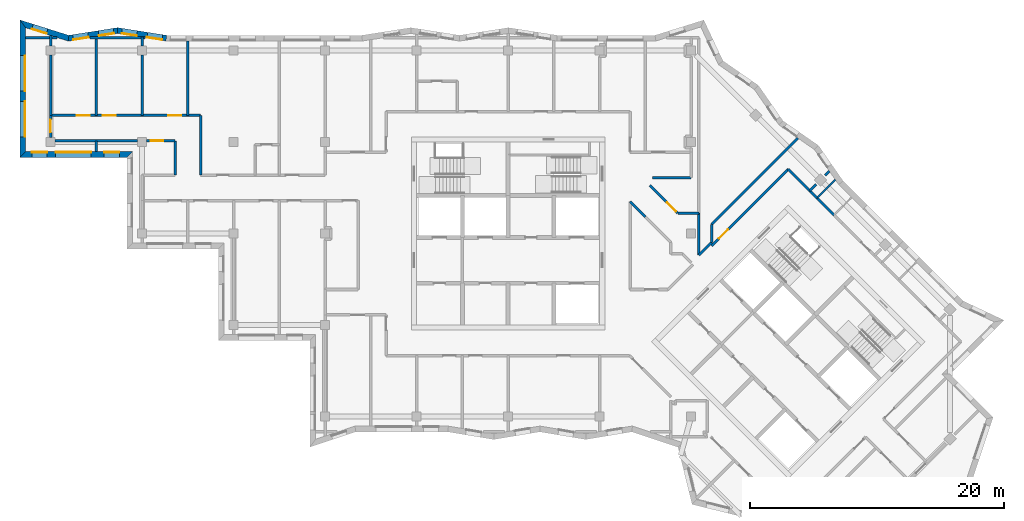
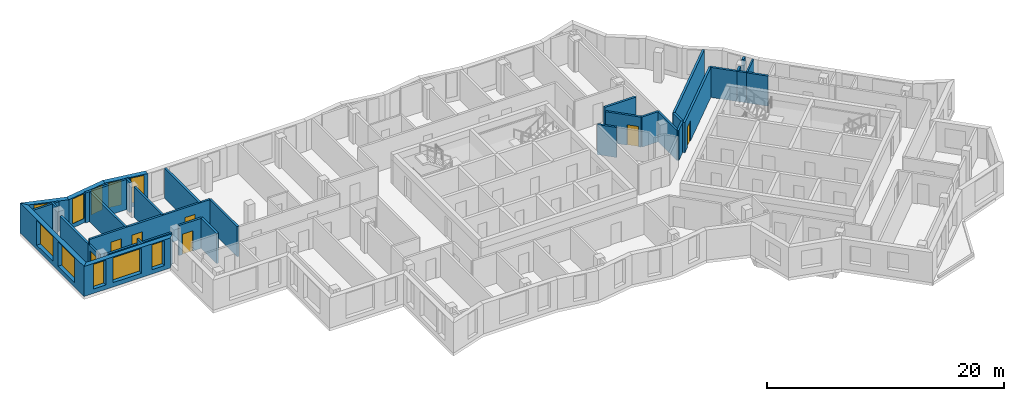
# One storey, part 5 of 12: 35 walls, 10 windows, 7 doors, 17 openings.
"""IFC4 building model written with IfcOpenShell, lengths in metres."""

import ifcopenshell
import ifcopenshell.guid

model = None  # the IFC model being written
_history = None  # IfcOwnerHistory: only IFC2X3 demands one
_inside = {}  # id of a spatial element -> (the spatial element, [elements in it])
_under = {}  # id of a project, library or spatial element -> (it, [spatial elements below it])
_declared = {}  # id of a project -> (the project, [libraries it declares])
_typed = {}  # id of a type object -> (the type object, [elements of that type])
_made_of = {}  # id of a material, layer set ... -> (it, [elements and type objects made of it])


def new_model(schema):
    """Start an empty IFC model of exactly this schema.

    Asked for "IFC4X3", IfcOpenShell would pick the latest addendum, in which some entities
    have other attributes; the version numbers below select the first issue.
    IFC2X3 requires an IfcOwnerHistory on every rooted entity: one is made here for all.
    """
    global model, _history
    if schema == "IFC4X3":
        model = ifcopenshell.file(schema_version=(4, 3, 0, 0))
    else:
        model = ifcopenshell.file(schema=schema)
    _inside.clear()
    _under.clear()
    _declared.clear()
    _typed.clear()
    _made_of.clear()
    _history = None
    if model.schema == "IFC2X3":
        org = make("IfcOrganization", Name="unknown")
        user = make(
            "IfcPersonAndOrganization",
            ThePerson=make("IfcPerson", FamilyName="unknown"),
            TheOrganization=org,
        )
        app = make(
            "IfcApplication",
            ApplicationDeveloper=org,
            Version="unknown",
            ApplicationFullName="unknown",
            ApplicationIdentifier="unknown",
        )
        _history = make(
            "IfcOwnerHistory",
            OwningUser=user,
            OwningApplication=app,
            ChangeAction="ADDED",
            CreationDate=0,
        )
    return model


def make(cls, **values):
    """One entity of the class cls with the attributes given. An attribute that is None is left unset."""
    return model.create_entity(
        cls, **{name: value for name, value in values.items() if value is not None}
    )


def rooted(cls, **values):
    """An entity with a GlobalId (a new one), such as an element, a storey or a relation."""
    return make(cls, GlobalId=ifcopenshell.guid.new(), OwnerHistory=_history, **values)


def si_unit(unit_type, name, prefix=None):
    """IfcSIUnit, for example si_unit("LENGTHUNIT", "METRE", prefix="MILLI")."""
    return make("IfcSIUnit", UnitType=unit_type, Prefix=prefix, Name=name)


def assignment(units):
    """IfcUnitAssignment: the units of a project."""
    return None if units is None else make("IfcUnitAssignment", Units=units)


def point(xyz):
    """IfcCartesianPoint."""
    return None if xyz is None else make("IfcCartesianPoint", Coordinates=xyz)


def direction(xyz):
    """IfcDirection."""
    return None if xyz is None else make("IfcDirection", DirectionRatios=xyz)


def frame(location, z_axis=None, x_axis=None):
    """IfcAxis2Placement3D, a coordinate frame: its origin and axes. An axis left out is left unset."""
    return make(
        "IfcAxis2Placement3D",
        Location=point(location),
        Axis=direction(z_axis),
        RefDirection=direction(x_axis),
    )


def frame_2d(location, x_axis=None):
    """IfcAxis2Placement2D, a coordinate frame in the plane: its origin and x axis."""
    return make(
        "IfcAxis2Placement2D", Location=point(location), RefDirection=direction(x_axis)
    )


def origin():
    """The frame at (0, 0, 0) with its axes left unset."""
    return frame((0.0, 0.0, 0.0))


def place(relative_to, where):
    """IfcLocalPlacement: puts the frame where relative to a parent placement (None: the world)."""
    return make(
        "IfcLocalPlacement", PlacementRelTo=relative_to, RelativePlacement=where
    )


def context(
    kind, dimensions, precision=None, world=None, true_north=None, identifier=None
):
    """IfcGeometricRepresentationContext, for example the 3D "Model" context."""
    return make(
        "IfcGeometricRepresentationContext",
        ContextIdentifier=identifier,
        ContextType=kind,
        CoordinateSpaceDimension=dimensions,
        Precision=precision,
        WorldCoordinateSystem=world,
        TrueNorth=true_north,
    )


def subcontext(parent, identifier, kind, view, scale=None):
    """IfcGeometricRepresentationSubContext, for example "Body" below "Model"."""
    return make(
        "IfcGeometricRepresentationSubContext",
        ContextIdentifier=identifier,
        ContextType=kind,
        ParentContext=parent,
        TargetScale=scale,
        TargetView=view,
    )


def project(units=None, contexts=None):
    """IfcProject with its units and contexts."""
    return rooted(
        "IfcProject",
        Name="project",
        RepresentationContexts=contexts,
        UnitsInContext=assignment(units),
    )


def spatial(cls, under=None, at=None, **own):
    """A site, building, storey or space (cls), placed at a placement, below another one or the project."""
    s = rooted(cls, ObjectPlacement=at, **own)
    if under is not None:
        _under.setdefault(under.id(), (under, []))[1].append(s)
    return s


def polyline(points):
    """IfcPolyline through the points."""
    return make("IfcPolyline", Points=[point(p) for p in points])


def profile(cls, at=None, kind="AREA", **sizes):
    """A parametric profile (cls). Its sizes go by their IFC names, for example OverallWidth=200.0."""
    return make(cls, ProfileType=kind, Position=at, **sizes)


def rectangle(**sizes):
    """IfcRectangleProfileDef."""
    return profile("IfcRectangleProfileDef", **sizes)


def outline(outer, holes=None, kind="AREA"):
    """IfcArbitraryClosedProfileDef: a profile drawn as a closed curve; with holes, ...WithVoids."""
    if holes is None:
        return make("IfcArbitraryClosedProfileDef", ProfileType=kind, OuterCurve=outer)
    return make(
        "IfcArbitraryProfileDefWithVoids",
        ProfileType=kind,
        OuterCurve=outer,
        InnerCurves=holes,
    )


def extrude(swept, where, along, depth):
    """IfcExtrudedAreaSolid: the profile swept, set in the frame where, extruded along a direction by depth."""
    return make(
        "IfcExtrudedAreaSolid",
        SweptArea=swept,
        Position=where,
        ExtrudedDirection=direction(along),
        Depth=depth,
    )


def shape(context_of_items, identifier, shape_type, items):
    """IfcShapeRepresentation: the items that make up one representation, for example the "Body"."""
    return make(
        "IfcShapeRepresentation",
        ContextOfItems=context_of_items,
        RepresentationIdentifier=identifier,
        RepresentationType=shape_type,
        Items=items,
    )


def material(Name=None, Category=None):
    """IfcMaterial."""
    return make("IfcMaterial", Name=Name, Category=Category)


def layer(
    of_material, thickness, ventilated=None, Name=None, Category=None, Priority=None
):
    """IfcMaterialLayer: one layer of a wall or slab, of a material (None: an air gap)."""
    return make(
        "IfcMaterialLayer",
        Material=of_material,
        LayerThickness=thickness,
        IsVentilated=ventilated,
        Name=Name,
        Category=Category,
        Priority=Priority,
    )


def layer_set(layers, Name=None):
    """IfcMaterialLayerSet."""
    return make("IfcMaterialLayerSet", MaterialLayers=layers, LayerSetName=Name)


def made_of(thing, what):
    """Note that an element or type object is made of a material, layer set ...; save() writes the relation."""
    if what is not None:
        _made_of.setdefault(what.id(), (what, []))[1].append(thing)
    return thing


def type_object(cls, material=None, **own):
    """A type object (cls), such as IfcWallType, which elements share."""
    return made_of(rooted(cls, **own), material)


def element(
    cls,
    number,
    at=None,
    inside=None,
    cuts=None,
    type_object=None,
    material=None,
    context=None,
    identifier="Body",
    shape_type=None,
    held_by="IfcProductDefinitionShape",
    body=None,
    shapes=None,
    **own,
):
    """One element of the class cls, such as IfcWall. Its Tag is "e" and its number.

    at: its placement. inside: the storey or other place that contains it. cuts: it is an
    opening in that element (IfcRelVoidsElement). A single representation is given by context,
    identifier, shape_type and body (its items); several are given by shapes. held_by: the class
    of the entity that holds the representations. save() writes the other relations.
    """
    e = rooted(cls, Tag="e%d" % number, ObjectPlacement=at, **own)
    if body is not None:
        shapes = [shape(context, identifier, shape_type, body)]
    if shapes is not None:
        e.Representation = make(held_by, Representations=shapes)
    if inside is not None:
        _inside.setdefault(inside.id(), (inside, []))[1].append(e)
    if cuts is not None:
        rooted(
            "IfcRelVoidsElement", RelatingBuildingElement=cuts, RelatedOpeningElement=e
        )
    if type_object is not None:
        _typed.setdefault(type_object.id(), (type_object, []))[1].append(e)
    return made_of(e, material)


def fill(opening, filler):
    """IfcRelFillsElement: the door or window that sits in an opening."""
    return rooted(
        "IfcRelFillsElement",
        RelatingOpeningElement=opening,
        RelatedBuildingElement=filler,
    )


def aggregate(whole, parts):
    """IfcRelAggregates: a whole, such as a stair, and the parts it consists of."""
    return rooted("IfcRelAggregates", RelatingObject=whole, RelatedObjects=parts)


def save(model, path):
    """Write the relations noted so far, then the file.

    IfcRelAggregates (storeys below a building ...), IfcRelContainedInSpatialStructure (elements
    in a storey), IfcRelDefinesByType, IfcRelAssociatesMaterial and IfcRelDeclares: one each for
    every whole, place, type object, material and project.
    """
    for whole, parts in _under.values():
        aggregate(whole, parts)
    for where, things in _inside.values():
        rooted(
            "IfcRelContainedInSpatialStructure",
            RelatedElements=things,
            RelatingStructure=where,
        )
    for kind, things in _typed.values():
        rooted("IfcRelDefinesByType", RelatedObjects=things, RelatingType=kind)
    for what, things in _made_of.values():
        rooted("IfcRelAssociatesMaterial", RelatedObjects=things, RelatingMaterial=what)
    for by, libraries in _declared.values():
        rooted("IfcRelDeclares", RelatingContext=by, RelatedDefinitions=libraries)
    model.write(path)


model = new_model("IFC4")

# Units and contexts
model_context = context("Model", 3, precision=1e-05, world=origin(), true_north=direction((0.0, 1.0)))
body_context = subcontext(model_context, "Body", "Model", "MODEL_VIEW")
ifc_project = project(units=[si_unit("LENGTHUNIT", "METRE"), si_unit("AREAUNIT", "SQUARE_METRE"), si_unit("VOLUMEUNIT", "CUBIC_METRE"), si_unit("PLANEANGLEUNIT", "RADIAN"), si_unit("MASSUNIT", "GRAM", prefix="KILO")], contexts=[model_context])

# Site, building, storey
site_placement = place(None, origin())
site = spatial("IfcSite", under=ifc_project, at=site_placement, CompositionType="ELEMENT")
building_placement = place(site_placement, origin())
building = spatial("IfcBuilding", under=site, at=building_placement, Name="Windrow Commons", CompositionType="ELEMENT")
storey_placement = place(building_placement, frame((0.0, 0.0, 277.8)))
storey = spatial("IfcBuildingStorey", under=building, at=storey_placement, Name="L76", CompositionType="ELEMENT", Elevation=277.8)

# Wall, openings, windows
ifc_material_1 = material(Name="Brick masonry, red clay brick", Category="masonry")
ifc_layer_1 = layer(ifc_material_1, 0.45)
ifc_layer_set_1 = layer_set([ifc_layer_1], Name="Brick facade wall 450")
wall_type_1 = type_object("IfcWallType", Name="Brick facade wall 450", PredefinedType="SOLIDWALL", material=ifc_layer_set_1)
wall_1_placement = place(storey_placement, frame((37.9077, 72.975, 0.0), z_axis=(0.0, 0.0, 1.0), x_axis=(-0.9879128581, 0.1550102733, 0.0)))
wall_1 = element("IfcWall", 1, at=wall_1_placement, inside=storey, type_object=wall_type_1, Name="Brick facade wall L76 22", PredefinedType="SOLIDWALL", context=body_context, shape_type="SweptSolid", body=[
    extrude(outline(polyline([(0.0175, -0.225), (3.9073, -0.225), (3.8367, 0.225), (-0.0175, 0.225), (0.0175, -0.225)])), origin(), (0.0, 0.0, 1.0), 3.1),
])
opening_1_placement = place(wall_1_placement, frame((0.3155, 0.0, 0.45)))
opening_1 = element("IfcOpeningElement", 2, at=opening_1_placement, cuts=wall_1, Name="Opening W7F", PredefinedType="OPENING", context=body_context, shape_type="SweptSolid", body=[
    extrude(rectangle(XDim=1.2, YDim=2.55, at=frame_2d((0.6, 1.275))), frame((0.0, 0.235, 0.0), z_axis=(0.0, -1.0, 0.0), x_axis=(1.0, 0.0, 0.0)), (0.0, 0.0, 1.0), 0.47),
])
opening_2_placement = place(wall_1_placement, frame((2.3339, 0.0, 0.45)))
opening_2 = element("IfcOpeningElement", 3, at=opening_2_placement, cuts=wall_1, Name="Opening W7F", PredefinedType="OPENING", context=body_context, shape_type="SweptSolid", body=[
    extrude(rectangle(XDim=1.2, YDim=2.55, at=frame_2d((0.6, 1.275))), frame((0.0, 0.235, 0.0), z_axis=(0.0, -1.0, 0.0), x_axis=(1.0, 0.0, 0.0)), (0.0, 0.0, 1.0), 0.47),
])
ifc_material_2 = material(Name="Clear float glass in anodised aluminium frame", Category="aluminium")
window_type_1 = type_object("IfcWindowType", Name="Window W7 notch 1200x2550", PartitioningType="SINGLE_PANEL", PredefinedType="WINDOW", material=ifc_material_2)
window_1_placement = place(opening_1_placement, origin())
window_1 = element("IfcWindow", 4, at=window_1_placement, inside=storey, type_object=window_type_1, Name="Window L76 22.1", OverallHeight=2.55, OverallWidth=1.2, PartitioningType="SINGLE_PANEL", PredefinedType="WINDOW", context=body_context, shape_type="SweptSolid", body=[
    extrude(rectangle(XDim=1.2, YDim=2.55, at=frame_2d((0.6, 1.275))), frame((0.0, 0.205, 0.0), z_axis=(0.0, -1.0, 0.0), x_axis=(1.0, 0.0, 0.0)), (0.0, 0.0, 1.0), 0.06),
])
fill(opening_1, window_1)
window_2_placement = place(opening_2_placement, origin())
window_2 = element("IfcWindow", 5, at=window_2_placement, inside=storey, type_object=window_type_1, Name="Window L76 22.2", OverallHeight=2.55, OverallWidth=1.2, PartitioningType="SINGLE_PANEL", PredefinedType="WINDOW", context=body_context, shape_type="SweptSolid", body=[
    extrude(rectangle(XDim=1.2, YDim=2.55, at=frame_2d((0.6, 1.275))), frame((0.0, 0.205, 0.0), z_axis=(0.0, -1.0, 0.0), x_axis=(1.0, 0.0, 0.0)), (0.0, 0.0, 1.0), 0.06),
])
fill(opening_2, window_2)

wall_2_placement = place(storey_placement, frame((34.0825, 73.5752, 0.0), z_axis=(0.0, 0.0, 1.0), x_axis=(-0.9879139938, -0.155003035, 0.0)))
wall_2 = element("IfcWall", 6, at=wall_2_placement, inside=storey, type_object=wall_type_1, Name="Brick facade wall L76 23", PredefinedType="SOLIDWALL", context=body_context, shape_type="SweptSolid", body=[
    extrude(outline(polyline([(-0.0353, -0.225), (3.8545, -0.225), (3.9596, 0.225), (0.0353, 0.225), (-0.0353, -0.225)])), origin(), (0.0, 0.0, 1.0), 3.1),
])
opening_3_placement = place(wall_2_placement, frame((0.3192, 0.0, 0.45)))
opening_3 = element("IfcOpeningElement", 7, at=opening_3_placement, cuts=wall_2, Name="Opening W7F", PredefinedType="OPENING", context=body_context, shape_type="SweptSolid", body=[
    extrude(rectangle(XDim=1.2, YDim=2.55, at=frame_2d((0.6, 1.275))), frame((0.0, 0.235, 0.0), z_axis=(0.0, -1.0, 0.0), x_axis=(1.0, 0.0, 0.0)), (0.0, 0.0, 1.0), 0.47),
])
opening_4_placement = place(wall_2_placement, frame((2.3551, 0.0, 0.45)))
opening_4 = element("IfcOpeningElement", 8, at=opening_4_placement, cuts=wall_2, Name="Opening W7F", PredefinedType="OPENING", context=body_context, shape_type="SweptSolid", body=[
    extrude(rectangle(XDim=1.2, YDim=2.55, at=frame_2d((0.6, 1.275))), frame((0.0, 0.235, 0.0), z_axis=(0.0, -1.0, 0.0), x_axis=(1.0, 0.0, 0.0)), (0.0, 0.0, 1.0), 0.47),
])
window_3_placement = place(opening_3_placement, origin())
window_3 = element("IfcWindow", 9, at=window_3_placement, inside=storey, type_object=window_type_1, Name="Window L76 23.1", OverallHeight=2.55, OverallWidth=1.2, PartitioningType="SINGLE_PANEL", PredefinedType="WINDOW", context=body_context, shape_type="SweptSolid", body=[
    extrude(rectangle(XDim=1.2, YDim=2.55, at=frame_2d((0.6, 1.275))), frame((0.0, 0.205, 0.0), z_axis=(0.0, -1.0, 0.0), x_axis=(1.0, 0.0, 0.0)), (0.0, 0.0, 1.0), 0.06),
])
fill(opening_3, window_3)
window_4_placement = place(opening_4_placement, origin())
window_4 = element("IfcWindow", 10, at=window_4_placement, inside=storey, type_object=window_type_1, Name="Window L76 23.2", OverallHeight=2.55, OverallWidth=1.2, PartitioningType="SINGLE_PANEL", PredefinedType="WINDOW", context=body_context, shape_type="SweptSolid", body=[
    extrude(rectangle(XDim=1.2, YDim=2.55, at=frame_2d((0.6, 1.275))), frame((0.0, 0.205, 0.0), z_axis=(0.0, -1.0, 0.0), x_axis=(1.0, 0.0, 0.0)), (0.0, 0.0, 1.0), 0.06),
])
fill(opening_4, window_4)

# Wall, opening, window
wall_3_placement = place(storey_placement, frame((30.2227, 72.9696, 0.0), z_axis=(0.0, 0.0, 1.0), x_axis=(-0.9543303604, 0.2987533486, 0.0)))
wall_3 = element("IfcWall", 11, at=wall_3_placement, inside=storey, type_object=wall_type_1, Name="Brick facade wall L76 24", PredefinedType="SOLIDWALL", context=body_context, shape_type="SweptSolid", body=[
    extrude(outline(polyline([(0.0526, -0.225), (4.0792, -0.225), (3.4668, 0.225), (-0.0526, 0.225), (0.0526, -0.225)])), origin(), (0.0, 0.0, 1.0), 3.1),
])
opening_5_placement = place(wall_3_placement, frame((1.7788, 0.0, 0.45)))
opening_5 = element("IfcOpeningElement", 12, at=opening_5_placement, cuts=wall_3, Name="Opening W7F", PredefinedType="OPENING", context=body_context, shape_type="SweptSolid", body=[
    extrude(rectangle(XDim=1.2, YDim=2.55, at=frame_2d((0.6, 1.275))), frame((0.0, 0.235, 0.0), z_axis=(0.0, -1.0, 0.0), x_axis=(1.0, 0.0, 0.0)), (0.0, 0.0, 1.0), 0.47),
])
window_5_placement = place(opening_5_placement, origin())
window_5 = element("IfcWindow", 13, at=window_5_placement, inside=storey, type_object=window_type_1, Name="Window L76 24.1", OverallHeight=2.55, OverallWidth=1.2, PartitioningType="SINGLE_PANEL", PredefinedType="WINDOW", context=body_context, shape_type="SweptSolid", body=[
    extrude(rectangle(XDim=1.2, YDim=2.55, at=frame_2d((0.6, 1.275))), frame((0.0, 0.205, 0.0), z_axis=(0.0, -1.0, 0.0), x_axis=(1.0, 0.0, 0.0)), (0.0, 0.0, 1.0), 0.06),
])
fill(opening_5, window_5)

# Wall, openings, windows
wall_4_placement = place(storey_placement, frame((26.622, 74.0968, 0.0), z_axis=(0.0, 0.0, 1.0), x_axis=(0.0, -1.0, 0.0)))
wall_4 = element("IfcWall", 14, at=wall_4_placement, inside=storey, type_object=wall_type_1, Name="Brick facade wall L76 25", PredefinedType="SOLIDWALL", context=body_context, shape_type="SweptSolid", body=[
    extrude(outline(polyline([(-0.3062, -0.225), (10.4968, -0.225), (10.0468, 0.225), (0.3062, 0.225), (-0.3062, -0.225)])), origin(), (0.0, 0.0, 1.0), 3.1),
])
opening_6_placement = place(wall_4_placement, frame((2.4968, 0.0, 0.45)))
opening_6 = element("IfcOpeningElement", 15, at=opening_6_placement, cuts=wall_4, Name="Opening W1V", PredefinedType="OPENING", context=body_context, shape_type="SweptSolid", body=[
    extrude(rectangle(XDim=2.8, YDim=2.55, at=frame_2d((1.4, 1.275))), frame((0.0, 0.235, 0.0), z_axis=(0.0, -1.0, 0.0), x_axis=(1.0, 0.0, 0.0)), (0.0, 0.0, 1.0), 0.47),
])
opening_7_placement = place(wall_4_placement, frame((6.0968, 0.0, 0.45)))
opening_7 = element("IfcOpeningElement", 16, at=opening_7_placement, cuts=wall_4, Name="Opening W1V", PredefinedType="OPENING", context=body_context, shape_type="SweptSolid", body=[
    extrude(rectangle(XDim=2.8, YDim=2.55, at=frame_2d((1.4, 1.275))), frame((0.0, 0.235, 0.0), z_axis=(0.0, -1.0, 0.0), x_axis=(1.0, 0.0, 0.0)), (0.0, 0.0, 1.0), 0.47),
])
ifc_material_3 = material(Name="Clear float glass in anodised aluminium frame", Category="aluminium")
window_type_2 = type_object("IfcWindowType", Name="Window W1V bedroom 2800x2550", PartitioningType="SINGLE_PANEL", PredefinedType="WINDOW", material=ifc_material_3)
window_6_placement = place(opening_6_placement, origin())
window_6 = element("IfcWindow", 17, at=window_6_placement, inside=storey, type_object=window_type_2, Name="Window L76 25.1", OverallHeight=2.55, OverallWidth=2.8, PartitioningType="SINGLE_PANEL", PredefinedType="WINDOW", context=body_context, shape_type="SweptSolid", body=[
    extrude(rectangle(XDim=2.8, YDim=2.55, at=frame_2d((1.4, 1.275))), frame((0.0, 0.205, 0.0), z_axis=(0.0, -1.0, 0.0), x_axis=(1.0, 0.0, 0.0)), (0.0, 0.0, 1.0), 0.06),
])
fill(opening_6, window_6)
window_7_placement = place(opening_7_placement, origin())
window_7 = element("IfcWindow", 18, at=window_7_placement, inside=storey, type_object=window_type_2, Name="Window L76 25.2", OverallHeight=2.55, OverallWidth=2.8, PartitioningType="SINGLE_PANEL", PredefinedType="WINDOW", context=body_context, shape_type="SweptSolid", body=[
    extrude(rectangle(XDim=2.8, YDim=2.55, at=frame_2d((1.4, 1.275))), frame((0.0, 0.205, 0.0), z_axis=(0.0, -1.0, 0.0), x_axis=(1.0, 0.0, 0.0)), (0.0, 0.0, 1.0), 0.06),
])
fill(opening_7, window_7)

wall_5_placement = place(storey_placement, frame((26.622, 63.825, 0.0), z_axis=(0.0, 0.0, 1.0), x_axis=(1.0, 0.0, 0.0)))
wall_5 = element("IfcWall", 19, at=wall_5_placement, inside=storey, type_object=wall_type_1, Name="Brick facade wall L76 26", PredefinedType="SOLIDWALL", context=body_context, shape_type="SweptSolid", body=[
    extrude(outline(polyline([(-0.225, -0.225), (8.178, -0.225), (8.628, 0.225), (0.225, 0.225), (-0.225, -0.225)])), origin(), (0.0, 0.0, 1.0), 3.1),
])
opening_8_placement = place(wall_5_placement, frame((2.578, 0.0, 0.45)))
opening_8 = element("IfcOpeningElement", 20, at=opening_8_placement, cuts=wall_5, Name="Opening W1V", PredefinedType="OPENING", context=body_context, shape_type="SweptSolid", body=[
    extrude(rectangle(XDim=2.8, YDim=2.55, at=frame_2d((1.4, 1.275))), frame((0.0, 0.235, 0.0), z_axis=(0.0, -1.0, 0.0), x_axis=(1.0, 0.0, 0.0)), (0.0, 0.0, 1.0), 0.47),
])
opening_9_placement = place(wall_5_placement, frame((0.7015, 0.0, 0.45)))
opening_9 = element("IfcOpeningElement", 21, at=opening_9_placement, cuts=wall_5, Name="Opening W7F", PredefinedType="OPENING", context=body_context, shape_type="SweptSolid", body=[
    extrude(rectangle(XDim=1.2, YDim=2.55, at=frame_2d((0.6, 1.275))), frame((0.0, 0.235, 0.0), z_axis=(0.0, -1.0, 0.0), x_axis=(1.0, 0.0, 0.0)), (0.0, 0.0, 1.0), 0.47),
])
opening_10_placement = place(wall_5_placement, frame((6.3905, 0.0, 0.45)))
opening_10 = element("IfcOpeningElement", 22, at=opening_10_placement, cuts=wall_5, Name="Opening W7F", PredefinedType="OPENING", context=body_context, shape_type="SweptSolid", body=[
    extrude(rectangle(XDim=1.2, YDim=2.55, at=frame_2d((0.6, 1.275))), frame((0.0, 0.235, 0.0), z_axis=(0.0, -1.0, 0.0), x_axis=(1.0, 0.0, 0.0)), (0.0, 0.0, 1.0), 0.47),
])
window_8_placement = place(opening_8_placement, origin())
window_8 = element("IfcWindow", 23, at=window_8_placement, inside=storey, type_object=window_type_2, Name="Window L76 26.1", OverallHeight=2.55, OverallWidth=2.8, PartitioningType="SINGLE_PANEL", PredefinedType="WINDOW", context=body_context, shape_type="SweptSolid", body=[
    extrude(rectangle(XDim=2.8, YDim=2.55, at=frame_2d((1.4, 1.275))), frame((0.0, 0.205, 0.0), z_axis=(0.0, -1.0, 0.0), x_axis=(1.0, 0.0, 0.0)), (0.0, 0.0, 1.0), 0.06),
])
fill(opening_8, window_8)
window_9_placement = place(opening_9_placement, origin())
window_9 = element("IfcWindow", 24, at=window_9_placement, inside=storey, type_object=window_type_1, Name="Window L76 26.2", OverallHeight=2.55, OverallWidth=1.2, PartitioningType="SINGLE_PANEL", PredefinedType="WINDOW", context=body_context, shape_type="SweptSolid", body=[
    extrude(rectangle(XDim=1.2, YDim=2.55, at=frame_2d((0.6, 1.275))), frame((0.0, 0.205, 0.0), z_axis=(0.0, -1.0, 0.0), x_axis=(1.0, 0.0, 0.0)), (0.0, 0.0, 1.0), 0.06),
])
fill(opening_9, window_9)
window_10_placement = place(opening_10_placement, origin())
window_10 = element("IfcWindow", 25, at=window_10_placement, inside=storey, type_object=window_type_1, Name="Window L76 26.3", OverallHeight=2.55, OverallWidth=1.2, PartitioningType="SINGLE_PANEL", PredefinedType="WINDOW", context=body_context, shape_type="SweptSolid", body=[
    extrude(rectangle(XDim=1.2, YDim=2.55, at=frame_2d((0.6, 1.275))), frame((0.0, 0.205, 0.0), z_axis=(0.0, -1.0, 0.0), x_axis=(1.0, 0.0, 0.0)), (0.0, 0.0, 1.0), 0.06),
])
fill(opening_10, window_10)

# Wall, openings, doors
ifc_material_4 = material(Name="Blockwork partition", Category="masonry")
ifc_layer_2 = layer(ifc_material_4, 0.2)
ifc_layer_set_2 = layer_set([ifc_layer_2], Name="IW-CORRIDOR-200")
wall_type_2 = type_object("IfcWallType", Name="IW-CORRIDOR-200", PredefinedType="PARTITIONING", material=ifc_layer_set_2)
wall_6_placement = place(storey_placement, frame((28.8, 66.9, 0.0), z_axis=(0.0, 0.0, 1.0), x_axis=(1.0, 0.0, 0.0)))
wall_6 = element("IfcWall", 26, at=wall_6_placement, inside=storey, type_object=wall_type_2, Name="W-L76-W004", PredefinedType="PARTITIONING", context=body_context, shape_type="SweptSolid", body=[
    extrude(rectangle(XDim=11.8, YDim=0.2, at=frame_2d((5.9, 0.0))), origin(), (0.0, 0.0, 1.0), 3.1),
])
opening_11_placement = place(wall_6_placement, frame((2.075, 0.0, 0.0)))
opening_11 = element("IfcOpeningElement", 27, at=opening_11_placement, cuts=wall_6, Name="Opening D310F", PredefinedType="OPENING", context=body_context, shape_type="SweptSolid", body=[
    extrude(rectangle(XDim=1.0, YDim=2.1, at=frame_2d((0.5, 1.05))), frame((0.0, 0.11, 0.0), z_axis=(0.0, -1.0, 0.0), x_axis=(1.0, 0.0, 0.0)), (0.0, 0.0, 1.0), 0.22),
])
opening_12_placement = place(wall_6_placement, frame((9.275, 0.0, 0.0)))
opening_12 = element("IfcOpeningElement", 28, at=opening_12_placement, cuts=wall_6, Name="Opening D310F", PredefinedType="OPENING", context=body_context, shape_type="SweptSolid", body=[
    extrude(rectangle(XDim=1.0, YDim=2.1, at=frame_2d((0.5, 1.05))), frame((0.0, 0.11, 0.0), z_axis=(0.0, -1.0, 0.0), x_axis=(1.0, 0.0, 0.0)), (0.0, 0.0, 1.0), 0.22),
])
opening_13_placement = place(wall_6_placement, frame((4.125, 0.0, 0.0)))
opening_13 = element("IfcOpeningElement", 29, at=opening_13_placement, cuts=wall_6, Name="Opening D310F", PredefinedType="OPENING", context=body_context, shape_type="SweptSolid", body=[
    extrude(rectangle(XDim=1.0, YDim=2.1, at=frame_2d((0.5, 1.05))), frame((0.0, 0.11, 0.0), z_axis=(0.0, -1.0, 0.0), x_axis=(1.0, 0.0, 0.0)), (0.0, 0.0, 1.0), 0.22),
])
ifc_material_5 = material(Name="Timber door leaf", Category="wood")
door_type = type_object("IfcDoorType", Name="DT-AMENITY-1000", OperationType="SINGLE_SWING_LEFT", PredefinedType="DOOR", material=ifc_material_5)
door_1_placement = place(opening_11_placement, origin())
door_1 = element("IfcDoor", 30, at=door_1_placement, inside=storey, type_object=door_type, Name="D-L76-D007", OperationType="SINGLE_SWING_RIGHT", OverallHeight=2.1, OverallWidth=1.0, PredefinedType="DOOR", context=body_context, shape_type="SweptSolid", body=[
    extrude(rectangle(XDim=1.0, YDim=2.1, at=frame_2d((0.5, 1.05))), frame((0.0, 0.025, 0.0), z_axis=(0.0, -1.0, 0.0), x_axis=(1.0, 0.0, 0.0)), (0.0, 0.0, 1.0), 0.05),
])
fill(opening_11, door_1)
door_2_placement = place(opening_12_placement, origin())
door_2 = element("IfcDoor", 31, at=door_2_placement, inside=storey, type_object=door_type, Name="D-L76-D008", OperationType="SINGLE_SWING_RIGHT", OverallHeight=2.1, OverallWidth=1.0, PredefinedType="DOOR", context=body_context, shape_type="SweptSolid", body=[
    extrude(rectangle(XDim=1.0, YDim=2.1, at=frame_2d((0.5, 1.05))), frame((0.0, 0.025, 0.0), z_axis=(0.0, -1.0, 0.0), x_axis=(1.0, 0.0, 0.0)), (0.0, 0.0, 1.0), 0.05),
])
fill(opening_12, door_2)
door_3_placement = place(opening_13_placement, origin())
door_3 = element("IfcDoor", 32, at=door_3_placement, inside=storey, type_object=door_type, Name="D-L76-D014", OperationType="SINGLE_SWING_LEFT", OverallHeight=2.1, OverallWidth=1.0, PredefinedType="DOOR", context=body_context, shape_type="SweptSolid", body=[
    extrude(rectangle(XDim=1.0, YDim=2.1, at=frame_2d((0.5, 1.05))), frame((0.0, 0.025, 0.0), z_axis=(0.0, -1.0, 0.0), x_axis=(1.0, 0.0, 0.0)), (0.0, 0.0, 1.0), 0.05),
])
fill(opening_13, door_3)

# Wall, opening, door
wall_7_placement = place(storey_placement, frame((80.8015, 56.6325, 0.0), z_axis=(0.0, 0.0, 1.0), x_axis=(0.7071067812, 0.7071067812, 0.0)))
wall_7 = element("IfcWall", 33, at=wall_7_placement, inside=storey, type_object=wall_type_2, Name="W-L76-W015", PredefinedType="PARTITIONING", context=body_context, shape_type="SweptSolid", body=[
    extrude(rectangle(XDim=8.5334, YDim=0.2, at=frame_2d((4.2667, 0.0))), origin(), (0.0, 0.0, 1.0), 3.1),
])
opening_14_placement = place(wall_7_placement, frame((0.8172, 0.0, 0.0)))
opening_14 = element("IfcOpeningElement", 34, at=opening_14_placement, cuts=wall_7, Name="Opening D310F", PredefinedType="OPENING", context=body_context, shape_type="SweptSolid", body=[
    extrude(rectangle(XDim=1.0, YDim=2.1, at=frame_2d((0.5, 1.05))), frame((0.0, 0.11, 0.0), z_axis=(0.0, -1.0, 0.0), x_axis=(1.0, 0.0, 0.0)), (0.0, 0.0, 1.0), 0.22),
])
door_4_placement = place(opening_14_placement, origin())
door_4 = element("IfcDoor", 35, at=door_4_placement, inside=storey, type_object=door_type, Name="D-L76-D029", OperationType="SINGLE_SWING_RIGHT", OverallHeight=2.1, OverallWidth=1.0, PredefinedType="DOOR", context=body_context, shape_type="SweptSolid", body=[
    extrude(rectangle(XDim=1.0, YDim=2.1, at=frame_2d((0.5, 1.05))), frame((0.0, 0.025, 0.0), z_axis=(0.0, -1.0, 0.0), x_axis=(1.0, 0.0, 0.0)), (0.0, 0.0, 1.0), 0.05),
])
fill(opening_14, door_4)

# Walls
wall_8_placement = place(storey_placement, frame((29.15, 64.9, 0.0), z_axis=(0.0, 0.0, 1.0), x_axis=(1.0, 0.0, 0.0)))
element("IfcWall", 36, at=wall_8_placement, inside=storey, type_object=wall_type_2, Name="W-L76-W019", PredefinedType="PARTITIONING", context=body_context, shape_type="SweptSolid", body=[
    extrude(rectangle(XDim=6.5, YDim=0.2, at=frame_2d((3.25, 0.0))), origin(), (0.0, 0.0, 1.0), 2.6),
])
wall_9_placement = place(storey_placement, frame((40.6, 62.202, 0.0), z_axis=(0.0, 0.0, 1.0), x_axis=(0.0, 1.0, 0.0)))
element("IfcWall", 37, at=wall_9_placement, inside=storey, type_object=wall_type_2, Name="W-L76-W038", PredefinedType="PARTITIONING", context=body_context, shape_type="SweptSolid", body=[
    extrude(rectangle(XDim=4.696, YDim=0.2, at=frame_2d((2.348, 0.0))), origin(), (0.0, 0.0, 1.0), 3.1),
])
wall_10_placement = place(storey_placement, frame((79.8, 55.914, 0.0), z_axis=(0.0, 0.0, 1.0), x_axis=(0.0, 1.0, 0.0)))
element("IfcWall", 38, at=wall_10_placement, inside=storey, type_object=wall_type_2, Name="W-L76-W052", PredefinedType="PARTITIONING", context=body_context, shape_type="SweptSolid", body=[
    extrude(rectangle(XDim=3.286, YDim=0.2, at=frame_2d((1.643, 0.0))), origin(), (0.0, 0.0, 1.0), 3.1),
])

# Wall, opening, door
wall_11_placement = place(storey_placement, frame((75.9391, 61.3951, 0.0), z_axis=(0.0, 0.0, 1.0), x_axis=(0.7071067812, -0.7071067812, 0.0)))
wall_11 = element("IfcWall", 39, at=wall_11_placement, inside=storey, type_object=wall_type_2, Name="W-L76-W058", PredefinedType="PARTITIONING", context=body_context, shape_type="SweptSolid", body=[
    extrude(rectangle(XDim=3.1056, YDim=0.2, at=frame_2d((1.5528, 0.0))), origin(), (0.0, 0.0, 1.0), 3.1),
])
opening_15_placement = place(wall_11_placement, frame((1.9064, 0.0, 0.0)))
opening_15 = element("IfcOpeningElement", 40, at=opening_15_placement, cuts=wall_11, Name="Opening D310F", PredefinedType="OPENING", context=body_context, shape_type="SweptSolid", body=[
    extrude(rectangle(XDim=1.0, YDim=2.1, at=frame_2d((0.5, 1.05))), frame((0.0, 0.11, 0.0), z_axis=(0.0, -1.0, 0.0), x_axis=(1.0, 0.0, 0.0)), (0.0, 0.0, 1.0), 0.22),
])
door_5_placement = place(opening_15_placement, origin())
door_5 = element("IfcDoor", 41, at=door_5_placement, inside=storey, type_object=door_type, Name="D-L76-D028", OperationType="SINGLE_SWING_LEFT", OverallHeight=2.1, OverallWidth=1.0, PredefinedType="DOOR", context=body_context, shape_type="SweptSolid", body=[
    extrude(rectangle(XDim=1.0, YDim=2.1, at=frame_2d((0.5, 1.05))), frame((0.0, 0.025, 0.0), z_axis=(0.0, -1.0, 0.0), x_axis=(1.0, 0.0, 0.0)), (0.0, 0.0, 1.0), 0.05),
])
fill(opening_15, door_5)

# Walls
wall_12_placement = place(storey_placement, frame((76.15, 62.0, 0.0), z_axis=(0.0, 0.0, 1.0), x_axis=(1.0, 0.0, 0.0)))
element("IfcWall", 42, at=wall_12_placement, inside=storey, type_object=wall_type_2, Name="W-L76-W059", PredefinedType="PARTITIONING", context=body_context, shape_type="SweptSolid", body=[
    extrude(rectangle(XDim=3.05, YDim=0.2, at=frame_2d((1.525, 0.0))), origin(), (0.0, 0.0, 1.0), 3.1),
])
wall_13_placement = place(storey_placement, frame((38.6, 62.202, 0.0), z_axis=(0.0, 0.0, 1.0), x_axis=(0.0, 1.0, 0.0)))
element("IfcWall", 43, at=wall_13_placement, inside=storey, type_object=wall_type_2, Name="W-L76-W064", PredefinedType="PARTITIONING", context=body_context, shape_type="SweptSolid", body=[
    extrude(rectangle(XDim=2.698, YDim=0.2, at=frame_2d((1.349, 0.0))), origin(), (0.0, 0.0, 1.0), 3.1),
])
wall_14_placement = place(storey_placement, frame((86.8333, 62.6633, 0.0), z_axis=(0.0, 0.0, 1.0), x_axis=(0.7075233388, -0.706689978, 0.0)))
element("IfcWall", 44, at=wall_14_placement, inside=storey, type_object=wall_type_2, Name="W-L76-W076", PredefinedType="PARTITIONING", context=body_context, shape_type="SweptSolid", body=[
    extrude(rectangle(XDim=2.3999, YDim=0.2, at=frame_2d((1.2, 0.0))), origin(), (0.0, 0.0, 1.0), 3.1),
])

# Wall, opening, door
wall_15_placement = place(storey_placement, frame((36.35, 64.9, 0.0), z_axis=(0.0, 0.0, 1.0), x_axis=(1.0, 0.0, 0.0)))
wall_15 = element("IfcWall", 45, at=wall_15_placement, inside=storey, type_object=wall_type_2, Name="W-L76-W077", PredefinedType="PARTITIONING", context=body_context, shape_type="SweptSolid", body=[
    extrude(rectangle(XDim=2.25, YDim=0.2, at=frame_2d((1.125, 0.0))), origin(), (0.0, 0.0, 1.0), 3.1),
])
opening_16_placement = place(wall_15_placement, frame((0.3325, 0.0, 0.0)))
opening_16 = element("IfcOpeningElement", 46, at=opening_16_placement, cuts=wall_15, Name="Opening D310F", PredefinedType="OPENING", context=body_context, shape_type="SweptSolid", body=[
    extrude(rectangle(XDim=1.0, YDim=2.1, at=frame_2d((0.5, 1.05))), frame((0.0, 0.11, 0.0), z_axis=(0.0, -1.0, 0.0), x_axis=(1.0, 0.0, 0.0)), (0.0, 0.0, 1.0), 0.22),
])
door_6_placement = place(opening_16_placement, origin())
door_6 = element("IfcDoor", 47, at=door_6_placement, inside=storey, type_object=door_type, Name="D-L76-D013", OperationType="SINGLE_SWING_RIGHT", OverallHeight=2.1, OverallWidth=1.0, PredefinedType="DOOR", context=body_context, shape_type="SweptSolid", body=[
    extrude(rectangle(XDim=1.0, YDim=2.1, at=frame_2d((0.5, 1.05))), frame((0.0, 0.025, 0.0), z_axis=(0.0, -1.0, 0.0), x_axis=(1.0, 0.0, 0.0)), (0.0, 0.0, 1.0), 0.05),
])
fill(opening_16, door_6)

# Wall
wall_16_placement = place(storey_placement, frame((89.0997, 60.4037, 0.0), z_axis=(0.0, 0.0, 1.0), x_axis=(0.7065800724, -0.7076330979, 0.0)))
element("IfcWall", 48, at=wall_16_placement, inside=storey, type_object=wall_type_2, Name="W-L76-W094", PredefinedType="PARTITIONING", context=body_context, shape_type="SweptSolid", body=[
    extrude(rectangle(XDim=1.8993, YDim=0.2, at=frame_2d((0.9496, 0.0))), origin(), (0.0, 0.0, 1.0), 3.1),
])

# Wall, opening, door
wall_17_placement = place(storey_placement, frame((28.8, 65.15, 0.0), z_axis=(0.0, 0.0, 1.0), x_axis=(0.0, 1.0, 0.0)))
wall_17 = element("IfcWall", 49, at=wall_17_placement, inside=storey, type_object=wall_type_2, Name="W-L76-W096", PredefinedType="PARTITIONING", context=body_context, shape_type="SweptSolid", body=[
    extrude(rectangle(XDim=1.75, YDim=0.2, at=frame_2d((0.875, 0.0))), origin(), (0.0, 0.0, 1.0), 2.6),
])
opening_17_placement = place(wall_17_placement, frame((0.4069, 0.0, 0.0)))
opening_17 = element("IfcOpeningElement", 50, at=opening_17_placement, cuts=wall_17, Name="Opening D310F", PredefinedType="OPENING", context=body_context, shape_type="SweptSolid", body=[
    extrude(rectangle(XDim=1.0, YDim=2.1, at=frame_2d((0.5, 1.05))), frame((0.0, 0.11, 0.0), z_axis=(0.0, -1.0, 0.0), x_axis=(1.0, 0.0, 0.0)), (0.0, 0.0, 1.0), 0.22),
])
door_7_placement = place(opening_17_placement, origin())
door_7 = element("IfcDoor", 51, at=door_7_placement, inside=storey, type_object=door_type, Name="D-L76-D002", OperationType="SINGLE_SWING_LEFT", OverallHeight=2.1, OverallWidth=1.0, PredefinedType="DOOR", context=body_context, shape_type="SweptSolid", body=[
    extrude(rectangle(XDim=1.0, YDim=2.1, at=frame_2d((0.5, 1.05))), frame((0.0, 0.025, 0.0), z_axis=(0.0, -1.0, 0.0), x_axis=(1.0, 0.0, 0.0)), (0.0, 0.0, 1.0), 0.05),
])
fill(opening_17, door_7)

# Walls
wall_18_placement = place(storey_placement, frame((74.3989, 60.1069, 0.0), z_axis=(0.0, 0.0, 1.0), x_axis=(0.7071067812, -0.7071067812, 0.0)))
element("IfcWall", 52, at=wall_18_placement, inside=storey, type_object=wall_type_2, Name="W-L76-W097", PredefinedType="PARTITIONING", context=body_context, shape_type="SweptSolid", body=[
    extrude(rectangle(XDim=1.6942, YDim=0.2, at=frame_2d((0.8471, 0.0))), origin(), (0.0, 0.0, 1.0), 3.1),
])
wall_19_placement = place(storey_placement, frame((78.144, 59.2, 0.0), z_axis=(0.0, 0.0, 1.0), x_axis=(1.0, 0.0, 0.0)))
element("IfcWall", 53, at=wall_19_placement, inside=storey, type_object=wall_type_2, Name="W-L76-W100", PredefinedType="PARTITIONING", context=body_context, shape_type="SweptSolid", body=[
    extrude(rectangle(XDim=1.656, YDim=0.2, at=frame_2d((0.828, 0.0))), origin(), (0.0, 0.0, 1.0), 3.1),
])
wall_20_placement = place(storey_placement, frame((79.801, 55.915, 0.0), z_axis=(0.0, 0.0, 1.0), x_axis=(0.7071067812, 0.7071067812, 0.0)))
element("IfcWall", 54, at=wall_20_placement, inside=storey, type_object=wall_type_2, Name="W-L76-W104", PredefinedType="PARTITIONING", context=body_context, shape_type="SweptSolid", body=[
    extrude(rectangle(XDim=1.4114, YDim=0.2, at=frame_2d((0.7057, 0.0))), origin(), (0.0, 0.0, 1.0), 3.1),
])
wall_21_placement = place(storey_placement, frame((88.5373, 60.9733, 0.0), z_axis=(0.0, 0.0, 1.0), x_axis=(0.7071067812, -0.7071067812, 0.0)))
element("IfcWall", 55, at=wall_21_placement, inside=storey, type_object=wall_type_2, Name="W-L76-W114", PredefinedType="PARTITIONING", context=body_context, shape_type="SweptSolid", body=[
    extrude(rectangle(XDim=0.8004, YDim=0.2, at=frame_2d((0.4002, 0.0))), origin(), (0.0, 0.0, 1.0), 3.1),
])
ifc_material_6 = material(Name="Blockwork partition", Category="masonry")
ifc_layer_3 = layer(ifc_material_6, 0.15)
ifc_layer_set_3 = layer_set([ifc_layer_3], Name="IW-ENSUITE-150")
wall_type_3 = type_object("IfcWallType", Name="IW-ENSUITE-150", PredefinedType="PARTITIONING", material=ifc_layer_set_3)
wall_22_placement = place(storey_placement, frame((89.0992, 60.4048, 0.0), z_axis=(0.0, 0.0, 1.0), x_axis=(0.7071067812, 0.7071067812, 0.0)))
element("IfcWall", 56, at=wall_22_placement, inside=storey, type_object=wall_type_3, Name="W-L76-W089", PredefinedType="PARTITIONING", context=body_context, shape_type="SweptSolid", body=[
    extrude(rectangle(XDim=2.0329, YDim=0.15, at=frame_2d((1.0165, 0.0))), origin(), (0.0, 0.0, 1.0), 3.1),
])
ifc_material_7 = material(Name="Blockwork partition", Category="masonry")
ifc_layer_4 = layer(ifc_material_7, 0.2)
ifc_layer_set_4 = layer_set([ifc_layer_4], Name="IW-PARTY-200")
wall_type_4 = type_object("IfcWallType", Name="IW-PARTY-200", PredefinedType="PARTITIONING", material=ifc_layer_set_4)
wall_23_placement = place(storey_placement, frame((80.8027, 58.3233, 0.0), z_axis=(0.0, 0.0, 1.0), x_axis=(0.7070026249, 0.7072109222, 0.0)))
element("IfcWall", 57, at=wall_23_placement, inside=storey, type_object=wall_type_4, Name="W-L76-W008", PredefinedType="PARTITIONING", context=body_context, shape_type="SweptSolid", body=[
    extrude(rectangle(XDim=9.6017, YDim=0.2, at=frame_2d((4.8008, 0.0))), origin(), (0.0, 0.0, 1.0), 3.1),
])
wall_24_placement = place(storey_placement, frame((32.4, 66.9, 0.0), z_axis=(0.0, 0.0, 1.0), x_axis=(0.0, 1.0, 0.0)))
element("IfcWall", 58, at=wall_24_placement, inside=storey, type_object=wall_type_4, Name="W-L76-W026", PredefinedType="PARTITIONING", context=body_context, shape_type="SweptSolid", body=[
    extrude(rectangle(XDim=6.1835, YDim=0.2, at=frame_2d((3.0918, 0.0))), origin(), (0.0, 0.0, 1.0), 3.1),
])
wall_25_placement = place(storey_placement, frame((39.6, 66.9, 0.0), z_axis=(0.0, 0.0, 1.0), x_axis=(0.0, 1.0, 0.0)))
element("IfcWall", 59, at=wall_25_placement, inside=storey, type_object=wall_type_4, Name="W-L76-W027", PredefinedType="PARTITIONING", context=body_context, shape_type="SweptSolid", body=[
    extrude(rectangle(XDim=5.85, YDim=0.2, at=frame_2d((2.925, 0.0))), origin(), (0.0, 0.0, 1.0), 3.1),
])
wall_26_placement = place(storey_placement, frame((28.8, 66.9, 0.0), z_axis=(0.0, 0.0, 1.0), x_axis=(0.0, 1.0, 0.0)))
element("IfcWall", 60, at=wall_26_placement, inside=storey, type_object=wall_type_4, Name="W-L76-W036", PredefinedType="PARTITIONING", context=body_context, shape_type="SweptSolid", body=[
    extrude(rectangle(XDim=4.75, YDim=0.2, at=frame_2d((2.375, 0.0))), origin(), (0.0, 0.0, 1.0), 2.6),
])
wall_27_placement = place(storey_placement, frame((36.0, 66.9, 0.0), z_axis=(0.0, 0.0, 1.0), x_axis=(0.0, 1.0, 0.0)))
element("IfcWall", 61, at=wall_27_placement, inside=storey, type_object=wall_type_4, Name="W-L76-W037", PredefinedType="PARTITIONING", context=body_context, shape_type="SweptSolid", body=[
    extrude(rectangle(XDim=4.75, YDim=0.2, at=frame_2d((2.375, 0.0))), origin(), (0.0, 0.0, 1.0), 3.1),
])
wall_28_placement = place(storey_placement, frame((31.918, 73.0, 0.0), z_axis=(0.0, 0.0, 1.0), x_axis=(1.0, 0.0, 0.0)))
element("IfcWall", 62, at=wall_28_placement, inside=storey, type_object=wall_type_4, Name="W-L76-W048", PredefinedType="PARTITIONING", context=body_context, shape_type="SweptSolid", body=[
    extrude(rectangle(XDim=4.329, YDim=0.2, at=frame_2d((2.1645, 0.0))), origin(), (0.0, 0.0, 1.0), 3.1),
])
wall_29_placement = place(storey_placement, frame((26.847, 73.0, 0.0), z_axis=(0.0, 0.0, 1.0), x_axis=(1.0, 0.0, 0.0)))
element("IfcWall", 63, at=wall_29_placement, inside=storey, type_object=wall_type_4, Name="W-L76-W071", PredefinedType="PARTITIONING", context=body_context, shape_type="SweptSolid", body=[
    extrude(rectangle(XDim=2.4754, YDim=0.2, at=frame_2d((1.2377, 0.0))), origin(), (0.0, 0.0, 1.0), 3.1),
])
wall_30_placement = place(storey_placement, frame((80.8, 56.912, 0.0), z_axis=(0.0, 0.0, 1.0), x_axis=(0.0, 1.0, 0.0)))
element("IfcWall", 64, at=wall_30_placement, inside=storey, type_object=wall_type_4, Name="W-L76-W103", PredefinedType="PARTITIONING", context=body_context, shape_type="SweptSolid", body=[
    extrude(rectangle(XDim=1.414, YDim=0.2, at=frame_2d((0.707, 0.0))), origin(), (0.0, 0.0, 1.0), 3.1),
])
wall_31_placement = place(storey_placement, frame((32.4, 64.05, 0.0), z_axis=(0.0, 0.0, 1.0), x_axis=(0.0, 1.0, 0.0)))
element("IfcWall", 65, at=wall_31_placement, inside=storey, type_object=wall_type_4, Name="W-L76-W115", PredefinedType="PARTITIONING", context=body_context, shape_type="SweptSolid", body=[
    extrude(rectangle(XDim=0.85, YDim=0.2, at=frame_2d((0.425, 0.0))), origin(), (0.0, 0.0, 1.0), 3.1),
])
wall_32_placement = place(storey_placement, frame((88.5335, 60.9705, 0.0), z_axis=(0.0, 0.0, 1.0), x_axis=(0.7071067812, 0.7071067812, 0.0)))
element("IfcWall", 66, at=wall_32_placement, inside=storey, type_object=wall_type_4, Name="W-L76-W121", PredefinedType="PARTITIONING", context=body_context, shape_type="SweptSolid", body=[
    extrude(rectangle(XDim=0.7043, YDim=0.2, at=frame_2d((0.3522, 0.0))), origin(), (0.0, 0.0, 1.0), 3.1),
])
wall_33_placement = place(storey_placement, frame((28.8, 72.35, 0.0), z_axis=(0.0, 0.0, 1.0), x_axis=(0.0, 1.0, 0.0)))
element("IfcWall", 67, at=wall_33_placement, inside=storey, type_object=wall_type_4, Name="W-L76-W122", PredefinedType="PARTITIONING", context=body_context, shape_type="SweptSolid", body=[
    extrude(rectangle(XDim=0.8292, YDim=0.2, at=frame_2d((0.4146, 0.0))), origin(), (0.0, 0.0, 1.0), 3.1),
])
wall_34_placement = place(storey_placement, frame((36.0, 72.35, 0.0), z_axis=(0.0, 0.0, 1.0), x_axis=(0.0, 1.0, 0.0)))
element("IfcWall", 68, at=wall_34_placement, inside=storey, type_object=wall_type_4, Name="W-L76-W125", PredefinedType="PARTITIONING", context=body_context, shape_type="SweptSolid", body=[
    extrude(rectangle(XDim=0.6966, YDim=0.2, at=frame_2d((0.3483, 0.0))), origin(), (0.0, 0.0, 1.0), 3.1),
])
wall_35_placement = place(storey_placement, frame((89.7315, 62.1685, 0.0), z_axis=(0.0, 0.0, 1.0), x_axis=(0.7071067812, 0.7071067812, 0.0)))
element("IfcWall", 69, at=wall_35_placement, inside=storey, type_object=wall_type_4, Name="W-L76-W140", PredefinedType="PARTITIONING", context=body_context, shape_type="SweptSolid", body=[
    extrude(rectangle(XDim=0.4831, YDim=0.2, at=frame_2d((0.2415, 0.0))), origin(), (0.0, 0.0, 1.0), 3.1),
])

save(model, "model.ifc")
